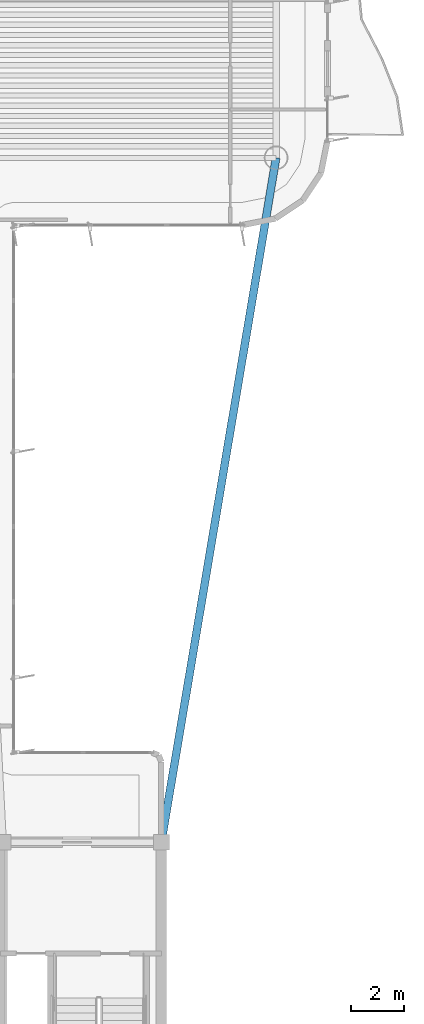
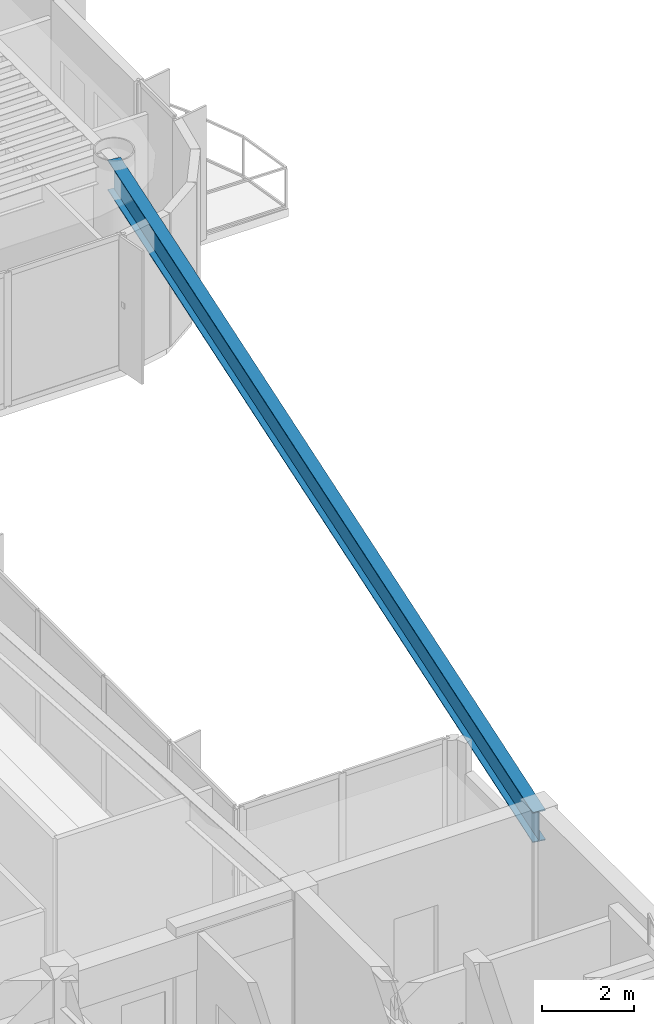
# One storey, part 4 of 16: 1 beam.
"""IFC4 building model written with IfcOpenShell, lengths in metres."""

from ifc_helpers import new_model, si_unit, direction, frame, origin, origin_2d, place, context, subcontext, project, spatial, i_section, extrude, source, transform, mapped, material, material_profile, profile_set, type_object, element, save


model = new_model("IFC4")

# Units and contexts
model_context = context("Model", 3, precision=1e-05, world=origin(), true_north=direction((0.0, 1.0)))
body_context = subcontext(model_context, "Body", "Model", "MODEL_VIEW")
ifc_project = project(units=[si_unit("LENGTHUNIT", "METRE"), si_unit("AREAUNIT", "SQUARE_METRE"), si_unit("VOLUMEUNIT", "CUBIC_METRE"), si_unit("PLANEANGLEUNIT", "RADIAN"), si_unit("MASSUNIT", "GRAM", prefix="KILO")], contexts=[model_context])

# Site, building, storey
site_placement = place(None, origin())
site = spatial("IfcSite", under=ifc_project, at=site_placement, CompositionType="ELEMENT")
building_placement = place(site_placement, origin())
building = spatial("IfcBuilding", under=site, at=building_placement, Name="Brelvock Crest Care Tower", CompositionType="ELEMENT")
storey_placement = place(building_placement, frame((0.0, 0.0, 230.580078125)))
storey = spatial("IfcBuildingStorey", under=building, at=storey_placement, Name="L58", CompositionType="ELEMENT", Elevation=230.580078125)

# Beam
ifc_material = material(Name="Steel Grade 350", Category="steel")
ifc_material_profile = material_profile(ifc_material, i_section(OverallWidth=0.300048828125, OverallDepth=0.800048828125, WebThickness=0.013916015625, FlangeThickness=0.02197265625, at=origin_2d()), Name="800WB192")
ifc_profile_set = profile_set([ifc_material_profile], Name="Steel Grade 350")
beam_type = type_object("IfcBeamType", Name="BM-G5", PredefinedType="BEAM", material=ifc_profile_set)
shared_shape = source(origin(), body_context, "Body", "SweptSolid", [
    extrude(i_section(OverallWidth=0.300048828125, OverallDepth=0.800048828125, WebThickness=0.013916015625, FlangeThickness=0.02197265625, at=origin_2d()), origin(), (0.0, 0.0, 1.0), 26.31201171875),
])
beam_placement = place(storey_placement, frame((48.0, 18.0, 3.1298828125), z_axis=(0.165327282709, 0.986238758918, 0.0), x_axis=(-0.986238758918, 0.165327282709, 0.0)))
element("IfcBeam", 1, at=beam_placement, inside=storey, type_object=beam_type, Name="BM-THRO-E-L58", PredefinedType="BEAM", context=body_context, shape_type="MappedRepresentation", body=[
    mapped(shared_shape, transform((0.0, 0.0, 0.0), x_axis=(1.0, 0.0, 0.0), y_axis=(0.0, 1.0, 0.0), z_axis=(0.0, 0.0, 1.0), scale=1.0)),
])

save(model, "model.ifc")
